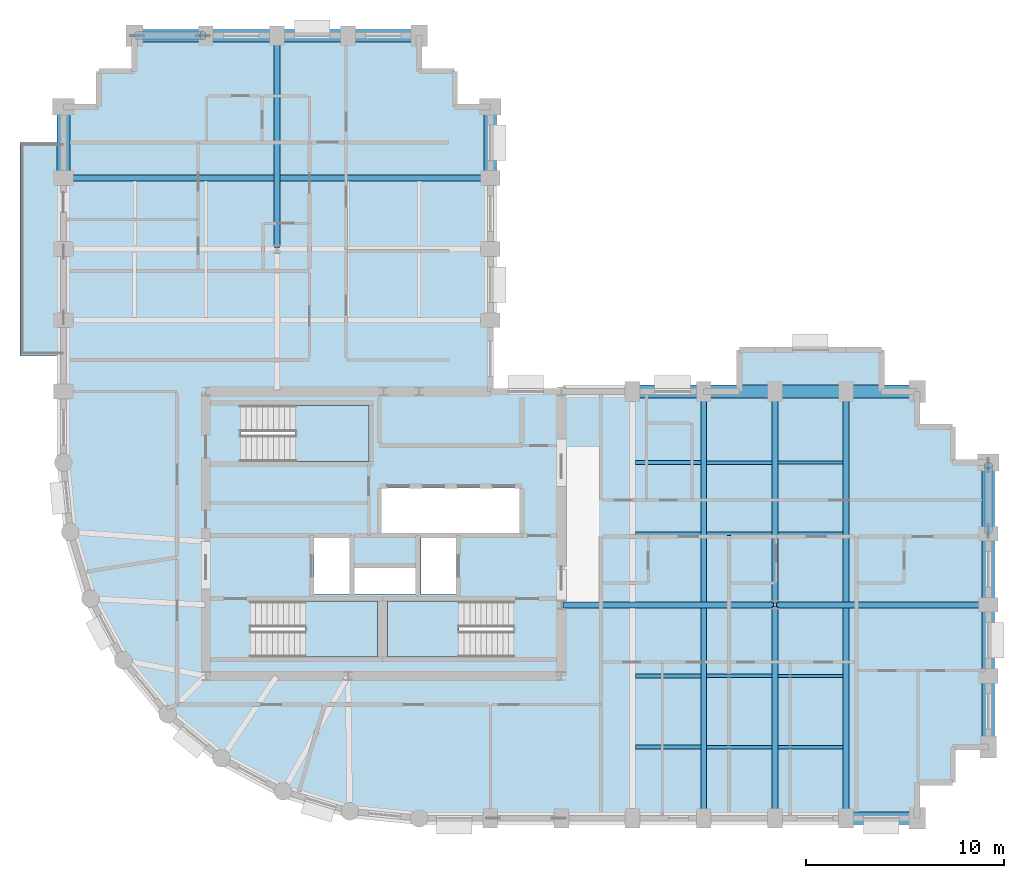
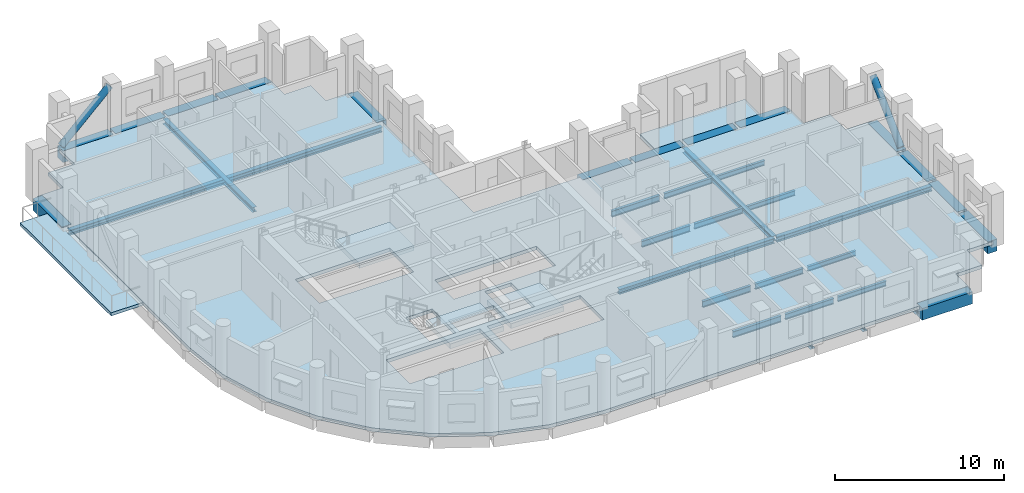
# One storey, part 2 of 10: 35 beams, 5 slabs, 2 members, 3 elements without a shape of their own.
"""IFC4 building model written with IfcOpenShell, lengths in metres."""

import ifcopenshell
import ifcopenshell.guid

model = None  # the IFC model being written
_history = None  # IfcOwnerHistory: only IFC2X3 demands one
_inside = {}  # id of a spatial element -> (the spatial element, [elements in it])
_under = {}  # id of a project, library or spatial element -> (it, [spatial elements below it])
_declared = {}  # id of a project -> (the project, [libraries it declares])
_typed = {}  # id of a type object -> (the type object, [elements of that type])
_made_of = {}  # id of a material, layer set ... -> (it, [elements and type objects made of it])


def new_model(schema):
    """Start an empty IFC model of exactly this schema.

    Asked for "IFC4X3", IfcOpenShell would pick the latest addendum, in which some entities
    have other attributes; the version numbers below select the first issue.
    IFC2X3 requires an IfcOwnerHistory on every rooted entity: one is made here for all.
    """
    global model, _history
    if schema == "IFC4X3":
        model = ifcopenshell.file(schema_version=(4, 3, 0, 0))
    else:
        model = ifcopenshell.file(schema=schema)
    _inside.clear()
    _under.clear()
    _declared.clear()
    _typed.clear()
    _made_of.clear()
    _history = None
    if model.schema == "IFC2X3":
        org = make("IfcOrganization", Name="unknown")
        user = make(
            "IfcPersonAndOrganization",
            ThePerson=make("IfcPerson", FamilyName="unknown"),
            TheOrganization=org,
        )
        app = make(
            "IfcApplication",
            ApplicationDeveloper=org,
            Version="unknown",
            ApplicationFullName="unknown",
            ApplicationIdentifier="unknown",
        )
        _history = make(
            "IfcOwnerHistory",
            OwningUser=user,
            OwningApplication=app,
            ChangeAction="ADDED",
            CreationDate=0,
        )
    return model


def make(cls, **values):
    """One entity of the class cls with the attributes given. An attribute that is None is left unset."""
    return model.create_entity(
        cls, **{name: value for name, value in values.items() if value is not None}
    )


def rooted(cls, **values):
    """An entity with a GlobalId (a new one), such as an element, a storey or a relation."""
    return make(cls, GlobalId=ifcopenshell.guid.new(), OwnerHistory=_history, **values)


def si_unit(unit_type, name, prefix=None):
    """IfcSIUnit, for example si_unit("LENGTHUNIT", "METRE", prefix="MILLI")."""
    return make("IfcSIUnit", UnitType=unit_type, Prefix=prefix, Name=name)


def assignment(units):
    """IfcUnitAssignment: the units of a project."""
    return None if units is None else make("IfcUnitAssignment", Units=units)


def point(xyz):
    """IfcCartesianPoint."""
    return None if xyz is None else make("IfcCartesianPoint", Coordinates=xyz)


def direction(xyz):
    """IfcDirection."""
    return None if xyz is None else make("IfcDirection", DirectionRatios=xyz)


def frame(location, z_axis=None, x_axis=None):
    """IfcAxis2Placement3D, a coordinate frame: its origin and axes. An axis left out is left unset."""
    return make(
        "IfcAxis2Placement3D",
        Location=point(location),
        Axis=direction(z_axis),
        RefDirection=direction(x_axis),
    )


def frame_2d(location, x_axis=None):
    """IfcAxis2Placement2D, a coordinate frame in the plane: its origin and x axis."""
    return make(
        "IfcAxis2Placement2D", Location=point(location), RefDirection=direction(x_axis)
    )


def origin():
    """The frame at (0, 0, 0) with its axes left unset."""
    return frame((0.0, 0.0, 0.0))


def origin_2d():
    """The frame at (0, 0) in the plane with its x axis left unset."""
    return frame_2d((0.0, 0.0))


def place(relative_to, where):
    """IfcLocalPlacement: puts the frame where relative to a parent placement (None: the world)."""
    return make(
        "IfcLocalPlacement", PlacementRelTo=relative_to, RelativePlacement=where
    )


def context(
    kind, dimensions, precision=None, world=None, true_north=None, identifier=None
):
    """IfcGeometricRepresentationContext, for example the 3D "Model" context."""
    return make(
        "IfcGeometricRepresentationContext",
        ContextIdentifier=identifier,
        ContextType=kind,
        CoordinateSpaceDimension=dimensions,
        Precision=precision,
        WorldCoordinateSystem=world,
        TrueNorth=true_north,
    )


def subcontext(parent, identifier, kind, view, scale=None):
    """IfcGeometricRepresentationSubContext, for example "Body" below "Model"."""
    return make(
        "IfcGeometricRepresentationSubContext",
        ContextIdentifier=identifier,
        ContextType=kind,
        ParentContext=parent,
        TargetScale=scale,
        TargetView=view,
    )


def project(units=None, contexts=None):
    """IfcProject with its units and contexts."""
    return rooted(
        "IfcProject",
        Name="project",
        RepresentationContexts=contexts,
        UnitsInContext=assignment(units),
    )


def spatial(cls, under=None, at=None, **own):
    """A site, building, storey or space (cls), placed at a placement, below another one or the project."""
    s = rooted(cls, ObjectPlacement=at, **own)
    if under is not None:
        _under.setdefault(under.id(), (under, []))[1].append(s)
    return s


def polyline(points):
    """IfcPolyline through the points."""
    return make("IfcPolyline", Points=[point(p) for p in points])


def profile(cls, at=None, kind="AREA", **sizes):
    """A parametric profile (cls). Its sizes go by their IFC names, for example OverallWidth=200.0."""
    return make(cls, ProfileType=kind, Position=at, **sizes)


def rectangle(**sizes):
    """IfcRectangleProfileDef."""
    return profile("IfcRectangleProfileDef", **sizes)


def hollow_circle(**sizes):
    """IfcCircleHollowProfileDef."""
    return profile("IfcCircleHollowProfileDef", **sizes)


def i_section(**sizes):
    """IfcIShapeProfileDef."""
    return profile("IfcIShapeProfileDef", **sizes)


def outline(outer, holes=None, kind="AREA"):
    """IfcArbitraryClosedProfileDef: a profile drawn as a closed curve; with holes, ...WithVoids."""
    if holes is None:
        return make("IfcArbitraryClosedProfileDef", ProfileType=kind, OuterCurve=outer)
    return make(
        "IfcArbitraryProfileDefWithVoids",
        ProfileType=kind,
        OuterCurve=outer,
        InnerCurves=holes,
    )


def extrude(swept, where, along, depth):
    """IfcExtrudedAreaSolid: the profile swept, set in the frame where, extruded along a direction by depth."""
    return make(
        "IfcExtrudedAreaSolid",
        SweptArea=swept,
        Position=where,
        ExtrudedDirection=direction(along),
        Depth=depth,
    )


def shape(context_of_items, identifier, shape_type, items):
    """IfcShapeRepresentation: the items that make up one representation, for example the "Body"."""
    return make(
        "IfcShapeRepresentation",
        ContextOfItems=context_of_items,
        RepresentationIdentifier=identifier,
        RepresentationType=shape_type,
        Items=items,
    )


def material(Name=None, Category=None):
    """IfcMaterial."""
    return make("IfcMaterial", Name=Name, Category=Category)


def layer(
    of_material, thickness, ventilated=None, Name=None, Category=None, Priority=None
):
    """IfcMaterialLayer: one layer of a wall or slab, of a material (None: an air gap)."""
    return make(
        "IfcMaterialLayer",
        Material=of_material,
        LayerThickness=thickness,
        IsVentilated=ventilated,
        Name=Name,
        Category=Category,
        Priority=Priority,
    )


def layer_set(layers, Name=None):
    """IfcMaterialLayerSet."""
    return make("IfcMaterialLayerSet", MaterialLayers=layers, LayerSetName=Name)


def material_profile(
    of_material, cross_section, Name=None, Category=None, Priority=None
):
    """IfcMaterialProfile: a cross section and its material."""
    return make(
        "IfcMaterialProfile",
        Name=Name,
        Material=of_material,
        Profile=cross_section,
        Priority=Priority,
        Category=Category,
    )


def profile_set(profiles, Name=None, composite=None):
    """IfcMaterialProfileSet."""
    return make(
        "IfcMaterialProfileSet",
        Name=Name,
        MaterialProfiles=profiles,
        CompositeProfile=composite,
    )


def made_of(thing, what):
    """Note that an element or type object is made of a material, layer set ...; save() writes the relation."""
    if what is not None:
        _made_of.setdefault(what.id(), (what, []))[1].append(thing)
    return thing


def type_object(cls, material=None, **own):
    """A type object (cls), such as IfcWallType, which elements share."""
    return made_of(rooted(cls, **own), material)


def element(
    cls,
    number,
    at=None,
    inside=None,
    cuts=None,
    type_object=None,
    material=None,
    context=None,
    identifier="Body",
    shape_type=None,
    held_by="IfcProductDefinitionShape",
    body=None,
    shapes=None,
    **own,
):
    """One element of the class cls, such as IfcWall. Its Tag is "e" and its number.

    at: its placement. inside: the storey or other place that contains it. cuts: it is an
    opening in that element (IfcRelVoidsElement). A single representation is given by context,
    identifier, shape_type and body (its items); several are given by shapes. held_by: the class
    of the entity that holds the representations. save() writes the other relations.
    """
    e = rooted(cls, Tag="e%d" % number, ObjectPlacement=at, **own)
    if body is not None:
        shapes = [shape(context, identifier, shape_type, body)]
    if shapes is not None:
        e.Representation = make(held_by, Representations=shapes)
    if inside is not None:
        _inside.setdefault(inside.id(), (inside, []))[1].append(e)
    if cuts is not None:
        rooted(
            "IfcRelVoidsElement", RelatingBuildingElement=cuts, RelatedOpeningElement=e
        )
    if type_object is not None:
        _typed.setdefault(type_object.id(), (type_object, []))[1].append(e)
    return made_of(e, material)


def aggregate(whole, parts):
    """IfcRelAggregates: a whole, such as a stair, and the parts it consists of."""
    return rooted("IfcRelAggregates", RelatingObject=whole, RelatedObjects=parts)


def save(model, path):
    """Write the relations noted so far, then the file.

    IfcRelAggregates (storeys below a building ...), IfcRelContainedInSpatialStructure (elements
    in a storey), IfcRelDefinesByType, IfcRelAssociatesMaterial and IfcRelDeclares: one each for
    every whole, place, type object, material and project.
    """
    for whole, parts in _under.values():
        aggregate(whole, parts)
    for where, things in _inside.values():
        rooted(
            "IfcRelContainedInSpatialStructure",
            RelatedElements=things,
            RelatingStructure=where,
        )
    for kind, things in _typed.values():
        rooted("IfcRelDefinesByType", RelatedObjects=things, RelatingType=kind)
    for what, things in _made_of.values():
        rooted("IfcRelAssociatesMaterial", RelatedObjects=things, RelatingMaterial=what)
    for by, libraries in _declared.values():
        rooted("IfcRelDeclares", RelatingContext=by, RelatedDefinitions=libraries)
    model.write(path)


model = new_model("IFC4")

# Units and contexts
model_context = context("Model", 3, precision=1e-05, world=origin(), true_north=direction((0.0, 1.0)))
body_context = subcontext(model_context, "Body", "Model", "MODEL_VIEW")
ifc_project = project(units=[si_unit("LENGTHUNIT", "METRE"), si_unit("AREAUNIT", "SQUARE_METRE"), si_unit("VOLUMEUNIT", "CUBIC_METRE"), si_unit("PLANEANGLEUNIT", "RADIAN"), si_unit("MASSUNIT", "GRAM", prefix="KILO")], contexts=[model_context])

# Site, building, storey
site_placement = place(None, origin())
site = spatial("IfcSite", under=ifc_project, at=site_placement, CompositionType="ELEMENT")
building_placement = place(site_placement, origin())
building = spatial("IfcBuilding", under=site, at=building_placement, Name="Solnavia Interchange Tower", CompositionType="ELEMENT")
storey_placement = place(building_placement, frame((0.0, 0.0, 150.39990234375)))
storey = spatial("IfcBuildingStorey", under=building, at=storey_placement, Name="L37", CompositionType="ELEMENT", Elevation=150.39990234375)

# Beams
ifc_material_1 = material(Name="Steel S460", Category="steel")
ifc_material_profile_1 = material_profile(ifc_material_1, i_section(OverallWidth=0.300048828125, OverallDepth=0.360107421875, WebThickness=0.012451171875, FlangeThickness=0.0224609375, FilletRadius=0.027099609375, at=origin_2d()), Name="HEB 360")
ifc_profile_set_1 = profile_set([ifc_material_profile_1], Name="Steel S460")
beam_type_1 = type_object("IfcBeamType", Name="Beam-Girder-HEB360", PredefinedType="BEAM", material=ifc_profile_set_1)
beam_1_placement = place(storey_placement, frame((32.47998046875, 14.39990234375, -0.429931640625), z_axis=(1.0, 0.0, 0.0), x_axis=(0.0, 1.0, 0.0)))
element("IfcBeam", 1, at=beam_1_placement, inside=storey, type_object=beam_type_1, Name="GRD-L37-ES01 East wing spine girder", PredefinedType="BEAM", context=body_context, shape_type="SweptSolid", body=[
    extrude(i_section(OverallWidth=0.300048828125, OverallDepth=0.360107421875, WebThickness=0.012451171875, FlangeThickness=0.0224609375, FilletRadius=0.027099609375, at=origin_2d()), origin(), (0.0, 0.0, 1.0), 10.64013671875),
])
beam_2_placement = place(storey_placement, frame((43.280029296875, 14.39990234375, -0.429931640625), z_axis=(1.0, 0.0, 0.0), x_axis=(0.0, 1.0, 0.0)))
element("IfcBeam", 2, at=beam_2_placement, inside=storey, type_object=beam_type_1, Name="GRD-L37-ES02 East wing spine girder", PredefinedType="BEAM", context=body_context, shape_type="SweptSolid", body=[
    extrude(i_section(OverallWidth=0.300048828125, OverallDepth=0.360107421875, WebThickness=0.012451171875, FlangeThickness=0.0224609375, FilletRadius=0.027099609375, at=origin_2d()), origin(), (0.0, 0.0, 1.0), 10.639892578125),
])
for number, where, z_axis, x_axis, name in (
    (3, (39.60009765625, 3.679931640625, -0.429931640625), (0.0, 1.0, 0.0), (-1.0, 0.0, 0.0), "GRD-L37-EW04 East wing primary floor girder"),
    (4, (46.800048828125, 3.679931640625, -0.429931640625), (0.0, 1.0, 0.0), (-1.0, 0.0, 0.0), "GRD-L37-EW07 East wing primary floor girder"),
):
    element("IfcBeam", number, at=place(storey_placement, frame(where, z_axis=z_axis, x_axis=x_axis)), inside=storey, type_object=beam_type_1, Name=name, PredefinedType="BEAM", context=body_context, shape_type="SweptSolid", body=[
        extrude(i_section(OverallWidth=0.300048828125, OverallDepth=0.360107421875, WebThickness=0.012451171875, FlangeThickness=0.0224609375, FilletRadius=0.027099609375, at=origin_2d()), origin(), (0.0, 0.0, 1.0), 21.440185546875),
    ])
beam_3_placement = place(storey_placement, frame((18.0, 32.47998046875, -0.429931640625), z_axis=(0.0, 1.0, 0.0), x_axis=(-1.0, 0.0, 0.0)))
element("IfcBeam", 5, at=beam_3_placement, inside=storey, type_object=beam_type_1, Name="GRD-L37-NS09 North wing spine girder", PredefinedType="BEAM", context=body_context, shape_type="SweptSolid", body=[
    extrude(i_section(OverallWidth=0.300048828125, OverallDepth=0.360107421875, WebThickness=0.012451171875, FlangeThickness=0.0224609375, FilletRadius=0.027099609375, at=origin_2d()), origin(), (0.0, 0.0, 1.0), 10.64013671875),
])
beam_4_placement = place(storey_placement, frame((7.280029296875, 36.0, -0.429931640625), z_axis=(1.0, 0.0, 0.0), x_axis=(0.0, 1.0, 0.0)))
element("IfcBeam", 6, at=beam_4_placement, inside=storey, type_object=beam_type_1, Name="GRD-L37-NW13 North wing primary floor girder", PredefinedType="BEAM", context=body_context, shape_type="SweptSolid", body=[
    extrude(i_section(OverallWidth=0.300048828125, OverallDepth=0.360107421875, WebThickness=0.012451171875, FlangeThickness=0.0224609375, FilletRadius=0.027099609375, at=origin_2d()), origin(), (0.0, 0.0, 1.0), 21.43994140625),
])
ifc_material_2 = material(Name="Steel S355", Category="steel")
ifc_material_profile_2 = material_profile(ifc_material_2, i_section(OverallWidth=0.169921875, OverallDepth=0.360107421875, WebThickness=0.008056640625, FlangeThickness=0.0126953125, FilletRadius=0.01806640625, at=origin_2d()), Name="IPE 360")
ifc_profile_set_2 = profile_set([ifc_material_profile_2], Name="Steel S355")
beam_type_2 = type_object("IfcBeamType", Name="Beam-Joist-IPE360", PredefinedType="JOIST", material=ifc_profile_set_2)
for number, where, z_axis, x_axis, name in (
    (7, (43.35009765625, 7.199951171875, -0.429931640625), (1.0, 0.0, 0.0), (0.0, 1.0, 0.0), "JST-L37-E03 East wing secondary joist"),
    (8, (43.35009765625, 10.800048828125, -0.429931640625), (1.0, 0.0, 0.0), (0.0, 1.0, 0.0), "JST-L37-E06 East wing secondary joist"),
    (9, (43.35009765625, 18.0, -0.429931640625), (1.0, 0.0, 0.0), (0.0, 1.0, 0.0), "JST-L37-E09 East wing secondary joist"),
    (10, (43.35009765625, 21.60009765625, -0.429931640625), (1.0, 0.0, 0.0), (0.0, 1.0, 0.0), "JST-L37-E12 East wing secondary joist"),
):
    element("IfcBeam", number, at=place(storey_placement, frame(where, z_axis=z_axis, x_axis=x_axis)), inside=storey, type_object=beam_type_2, Name=name, PredefinedType="JOIST", context=body_context, shape_type="SweptSolid", body=[
        extrude(i_section(OverallWidth=0.169921875, OverallDepth=0.360107421875, WebThickness=0.008056640625, FlangeThickness=0.0126953125, FilletRadius=0.01806640625, at=origin_2d()), origin(), (0.0, 0.0, 1.0), 3.2998046875),
    ])
ifc_material_profile_3 = material_profile(ifc_material_2, i_section(OverallWidth=0.179931640625, OverallDepth=0.39990234375, WebThickness=0.008544921875, FlangeThickness=0.013427734375, FilletRadius=0.02099609375, at=origin_2d()), Name="IPE 400")
ifc_profile_set_3 = profile_set([ifc_material_profile_3], Name="Steel S355")
beam_type_3 = type_object("IfcBeamType", Name="Beam-Joist-IPE400", PredefinedType="JOIST", material=ifc_profile_set_3)
for number, where, z_axis, x_axis, name in (
    (11, (39.75, 7.199951171875, -0.449951171875), (1.0, 0.0, 0.0), (0.0, 1.0, 0.0), "JST-L37-E02 East wing secondary joist"),
    (12, (39.75, 10.800048828125, -0.449951171875), (1.0, 0.0, 0.0), (0.0, 1.0, 0.0), "JST-L37-E05 East wing secondary joist"),
    (13, (39.75, 18.0, -0.449951171875), (1.0, 0.0, 0.0), (0.0, 1.0, 0.0), "JST-L37-E08 East wing secondary joist"),
    (14, (39.75, 21.60009765625, -0.449951171875), (1.0, 0.0, 0.0), (0.0, 1.0, 0.0), "JST-L37-E11 East wing secondary joist"),
):
    element("IfcBeam", number, at=place(storey_placement, frame(where, z_axis=z_axis, x_axis=x_axis)), inside=storey, type_object=beam_type_3, Name=name, PredefinedType="JOIST", context=body_context, shape_type="SweptSolid", body=[
        extrude(i_section(OverallWidth=0.179931640625, OverallDepth=0.39990234375, WebThickness=0.008544921875, FlangeThickness=0.013427734375, FilletRadius=0.02099609375, at=origin_2d()), origin(), (0.0, 0.0, 1.0), 3.300048828125),
    ])
ifc_material_profile_4 = material_profile(ifc_material_2, i_section(OverallWidth=0.18994140625, OverallDepth=0.449951171875, WebThickness=0.009521484375, FlangeThickness=0.0146484375, FilletRadius=0.02099609375, at=origin_2d()), Name="IPE 450")
ifc_profile_set_4 = profile_set([ifc_material_profile_4], Name="Steel S355")
beam_type_4 = type_object("IfcBeamType", Name="Beam-Joist-IPE450", PredefinedType="JOIST", material=ifc_profile_set_4)
for number, where, z_axis, x_axis, name in (
    (15, (36.14990234375, 7.199951171875, -0.474853515625), (1.0, 0.0, 0.0), (0.0, 1.0, 0.0), "JST-L37-E01 East wing secondary joist"),
    (16, (36.14990234375, 10.800048828125, -0.474853515625), (1.0, 0.0, 0.0), (0.0, 1.0, 0.0), "JST-L37-E04 East wing secondary joist"),
    (17, (36.14990234375, 18.0, -0.474853515625), (1.0, 0.0, 0.0), (0.0, 1.0, 0.0), "JST-L37-E07 East wing secondary joist"),
    (18, (36.14990234375, 21.60009765625, -0.474853515625), (1.0, 0.0, 0.0), (0.0, 1.0, 0.0), "JST-L37-E10 East wing secondary joist"),
):
    element("IfcBeam", number, at=place(storey_placement, frame(where, z_axis=z_axis, x_axis=x_axis)), inside=storey, type_object=beam_type_4, Name=name, PredefinedType="JOIST", context=body_context, shape_type="SweptSolid", body=[
        extrude(i_section(OverallWidth=0.18994140625, OverallDepth=0.449951171875, WebThickness=0.009521484375, FlangeThickness=0.0146484375, FilletRadius=0.02099609375, at=origin_2d()), origin(), (0.0, 0.0, 1.0), 3.300048828125),
    ])
ifc_material_profile_5 = material_profile(ifc_material_2, i_section(OverallWidth=0.300048828125, OverallDepth=0.35009765625, WebThickness=0.010009765625, FlangeThickness=0.017578125, FilletRadius=0.027099609375, at=origin_2d()), Name="HEA 360")
ifc_profile_set_5 = profile_set([ifc_material_profile_5], Name="Steel S355")
beam_type_5 = type_object("IfcBeamType", Name="Beam-Primary-HEA360", PredefinedType="BEAM", material=ifc_profile_set_5)
for number, where, z_axis, x_axis, name in (
    (19, (43.199951171875, 3.679931640625, -0.4248046875), (0.0, 1.0, 0.0), (-1.0, 0.0, 0.0), "GRD-L37-EW05 East wing primary floor girder"),
    (20, (43.199951171875, 14.47998046875, -0.4248046875), (0.0, 1.0, 0.0), (-1.0, 0.0, 0.0), "GRD-L37-EW06 East wing primary floor girder"),
):
    element("IfcBeam", number, at=place(storey_placement, frame(where, z_axis=z_axis, x_axis=x_axis)), inside=storey, type_object=beam_type_5, Name=name, PredefinedType="BEAM", context=body_context, shape_type="SweptSolid", body=[
        extrude(i_section(OverallWidth=0.300048828125, OverallDepth=0.35009765625, WebThickness=0.010009765625, FlangeThickness=0.017578125, FilletRadius=0.027099609375, at=origin_2d()), origin(), (0.0, 0.0, 1.0), 10.64013671875),
    ])
ifc_material_3 = material(Name="Concrete C50/60", Category="concrete")
ifc_material_profile_6 = material_profile(ifc_material_3, rectangle(XDim=0.64990234375, YDim=0.85009765625, at=origin_2d()), Name="RC 650x850")
ifc_profile_set_6 = profile_set([ifc_material_profile_6], Name="Concrete C50/60")
beam_type_6 = type_object("IfcBeamType", Name="Beam-Spandrel-RC650x850", PredefinedType="SPANDREL", material=ifc_profile_set_6)
beam_5_placement = place(storey_placement, frame((46.8798828125, 3.60009765625, -0.4248046875), z_axis=(1.0, 0.0, 0.0), x_axis=(0.0, 1.0, 0.0)))
element("IfcBeam", 21, at=beam_5_placement, inside=storey, type_object=beam_type_6, Name="SPB-L37-15 Framed-tube perimeter spandrel beam", PredefinedType="SPANDREL", context=body_context, shape_type="SweptSolid", body=[
    extrude(rectangle(XDim=0.64990234375, YDim=0.85009765625, at=origin_2d()), origin(), (0.0, 0.0, 1.0), 3.440185546875),
])
beam_6_placement = place(storey_placement, frame((54.0, 7.280029296875, -0.4248046875), z_axis=(0.0, 1.0, 0.0), x_axis=(-1.0, 0.0, 0.0)))
element("IfcBeam", 22, at=beam_6_placement, inside=storey, type_object=beam_type_6, Name="SPB-L37-16 Framed-tube perimeter spandrel beam", PredefinedType="SPANDREL", context=body_context, shape_type="SweptSolid", body=[
    extrude(rectangle(XDim=0.64990234375, YDim=0.85009765625, at=origin_2d()), origin(), (0.0, 0.0, 1.0), 3.43994140625),
])
beam_7_placement = place(storey_placement, frame((54.0, 10.8798828125, -0.4248046875), z_axis=(0.0, 1.0, 0.0), x_axis=(-1.0, 0.0, 0.0)))
element("IfcBeam", 23, at=beam_7_placement, inside=storey, type_object=beam_type_6, Name="SPB-L37-17 Framed-tube perimeter spandrel beam", PredefinedType="SPANDREL", context=body_context, shape_type="SweptSolid", body=[
    extrude(rectangle(XDim=0.64990234375, YDim=0.85009765625, at=origin_2d()), origin(), (0.0, 0.0, 1.0), 3.440185546875),
])
for number, where, z_axis, x_axis, name in (
    (24, (54.0, 14.47998046875, -0.4248046875), (0.0, 1.0, 0.0), (-1.0, 0.0, 0.0), "SPB-L37-18 Framed-tube perimeter spandrel beam"),
    (25, (54.0, 18.080078125, -0.4248046875), (0.0, 1.0, 0.0), (-1.0, 0.0, 0.0), "SPB-L37-19 Framed-tube perimeter spandrel beam"),
):
    element("IfcBeam", number, at=place(storey_placement, frame(where, z_axis=z_axis, x_axis=x_axis)), inside=storey, type_object=beam_type_6, Name=name, PredefinedType="SPANDREL", context=body_context, shape_type="SweptSolid", body=[
        extrude(rectangle(XDim=0.64990234375, YDim=0.85009765625, at=origin_2d()), origin(), (0.0, 0.0, 1.0), 3.43994140625),
    ])
beam_8_placement = place(storey_placement, frame((50.320068359375, 25.199951171875, -0.4248046875), z_axis=(-1.0, 0.0, 0.0), x_axis=(0.0, -1.0, 0.0)))
element("IfcBeam", 26, at=beam_8_placement, inside=storey, type_object=beam_type_6, Name="SPB-L37-20 Framed-tube perimeter spandrel beam", PredefinedType="SPANDREL", context=body_context, shape_type="SweptSolid", body=[
    extrude(rectangle(XDim=0.64990234375, YDim=0.85009765625, at=origin_2d()), origin(), (0.0, 0.0, 1.0), 3.440185546875),
])
beam_9_placement = place(storey_placement, frame((46.719970703125, 25.199951171875, -0.4248046875), z_axis=(-1.0, 0.0, 0.0), x_axis=(0.0, -1.0, 0.0)))
element("IfcBeam", 27, at=beam_9_placement, inside=storey, type_object=beam_type_6, Name="SPB-L37-21 Framed-tube perimeter spandrel beam", PredefinedType="SPANDREL", context=body_context, shape_type="SweptSolid", body=[
    extrude(rectangle(XDim=0.64990234375, YDim=0.85009765625, at=origin_2d()), origin(), (0.0, 0.0, 1.0), 3.43994140625),
])
beam_10_placement = place(storey_placement, frame((43.1201171875, 25.199951171875, -0.4248046875), z_axis=(-1.0, 0.0, 0.0), x_axis=(0.0, -1.0, 0.0)))
element("IfcBeam", 28, at=beam_10_placement, inside=storey, type_object=beam_type_6, Name="SPB-L37-22 Framed-tube perimeter spandrel beam", PredefinedType="SPANDREL", context=body_context, shape_type="SweptSolid", body=[
    extrude(rectangle(XDim=0.64990234375, YDim=0.85009765625, at=origin_2d()), origin(), (0.0, 0.0, 1.0), 3.440185546875),
])
for number, where, z_axis, x_axis, name in (
    (29, (39.52001953125, 25.199951171875, -0.4248046875), (-1.0, 0.0, 0.0), (0.0, -1.0, 0.0), "SPB-L37-23 Framed-tube perimeter spandrel beam"),
    (30, (28.800048828125, 36.080078125, -0.4248046875), (0.0, 1.0, 0.0), (-1.0, 0.0, 0.0), "SPB-L37-27 Framed-tube perimeter spandrel beam"),
):
    element("IfcBeam", number, at=place(storey_placement, frame(where, z_axis=z_axis, x_axis=x_axis)), inside=storey, type_object=beam_type_6, Name=name, PredefinedType="SPANDREL", context=body_context, shape_type="SweptSolid", body=[
        extrude(rectangle(XDim=0.64990234375, YDim=0.85009765625, at=origin_2d()), origin(), (0.0, 0.0, 1.0), 3.43994140625),
    ])
beam_11_placement = place(storey_placement, frame((25.1201171875, 43.199951171875, -0.4248046875), z_axis=(-1.0, 0.0, 0.0), x_axis=(0.0, -1.0, 0.0)))
element("IfcBeam", 31, at=beam_11_placement, inside=storey, type_object=beam_type_6, Name="SPB-L37-28 Framed-tube perimeter spandrel beam", PredefinedType="SPANDREL", context=body_context, shape_type="SweptSolid", body=[
    extrude(rectangle(XDim=0.64990234375, YDim=0.85009765625, at=origin_2d()), origin(), (0.0, 0.0, 1.0), 3.440185546875),
])
for number, where, z_axis, x_axis, name in (
    (32, (21.52001953125, 43.199951171875, -0.4248046875), (-1.0, 0.0, 0.0), (0.0, -1.0, 0.0), "SPB-L37-29 Framed-tube perimeter spandrel beam"),
    (33, (17.919921875, 43.199951171875, -0.4248046875), (-1.0, 0.0, 0.0), (0.0, -1.0, 0.0), "SPB-L37-30 Framed-tube perimeter spandrel beam"),
):
    element("IfcBeam", number, at=place(storey_placement, frame(where, z_axis=z_axis, x_axis=x_axis)), inside=storey, type_object=beam_type_6, Name=name, PredefinedType="SPANDREL", context=body_context, shape_type="SweptSolid", body=[
        extrude(rectangle(XDim=0.64990234375, YDim=0.85009765625, at=origin_2d()), origin(), (0.0, 0.0, 1.0), 3.43994140625),
    ])
beam_12_placement = place(storey_placement, frame((14.320068359375, 43.199951171875, -0.4248046875), z_axis=(-1.0, 0.0, 0.0), x_axis=(0.0, -1.0, 0.0)))
element("IfcBeam", 34, at=beam_12_placement, inside=storey, type_object=beam_type_6, Name="SPB-L37-31 Framed-tube perimeter spandrel beam", PredefinedType="SPANDREL", context=body_context, shape_type="SweptSolid", body=[
    extrude(rectangle(XDim=0.64990234375, YDim=0.85009765625, at=origin_2d()), origin(), (0.0, 0.0, 1.0), 3.440185546875),
])
beam_13_placement = place(storey_placement, frame((7.199951171875, 39.52001953125, -0.4248046875), z_axis=(0.0, -1.0, 0.0), x_axis=(1.0, 0.0, 0.0)))
element("IfcBeam", 35, at=beam_13_placement, inside=storey, type_object=beam_type_6, Name="SPB-L37-32 Framed-tube perimeter spandrel beam", PredefinedType="SPANDREL", context=body_context, shape_type="SweptSolid", body=[
    extrude(rectangle(XDim=0.64990234375, YDim=0.85009765625, at=origin_2d()), origin(), (0.0, 0.0, 1.0), 3.43994140625),
])

# Members
ifc_material_profile_7 = material_profile(ifc_material_1, hollow_circle(Radius=0.228515625, WallThickness=0.02001953125, at=origin_2d()), Name="CHS 457x20")
ifc_profile_set_7 = profile_set([ifc_material_profile_7], Name="Steel S460")
member_type = type_object("IfcMemberType", Name="Brace-Perim-CHS457", PredefinedType="BRACE", material=ifc_profile_set_7)
for number, where, z_axis, x_axis, name in (
    (36, (54.0, 18.139892578125, 0.18017578125), (0.0, 0.721096918576, 0.692834203847), (-1.0, 0.0, 0.0), "BRC-L37-03 Perimeter tube diagonal brace"),
    (37, (10.93994140625, 43.199951171875, 0.18017578125), (0.721096918576, 0.0, 0.692834203847), (0.0, 1.0, 0.0), "BRC-L37-04 Perimeter tube diagonal brace"),
):
    element("IfcMember", number, at=place(storey_placement, frame(where, z_axis=z_axis, x_axis=x_axis)), inside=storey, type_object=member_type, Name=name, PredefinedType="BRACE", context=body_context, shape_type="SweptSolid", body=[
        extrude(hollow_circle(Radius=0.228515625, WallThickness=0.02001953125, at=origin_2d()), origin(), (0.0, 0.0, 1.0), 4.604248046875),
    ])

# Stair, slab
ifc_material_4 = material(Name="Concrete C40/50", Category="concrete")
stair_type = type_object("IfcStairType", Name="Stair-Dogleg-RC", PredefinedType="HALF_TURN_STAIR", material=ifc_material_4)
stair_1_placement = place(storey_placement, origin())
stair_1 = element("IfcStair", 38, at=stair_1_placement, inside=storey, type_object=stair_type, Name="L37 Core exit stair 1", PredefinedType="HALF_TURN_STAIR")
ifc_layer_1 = layer(ifc_material_4, 0.35009765625)
ifc_layer_set_1 = layer_set([ifc_layer_1], Name="Concrete C40/50")
slab_type_1 = type_object("IfcSlabType", Name="Slab-StairLanding-350", PredefinedType="LANDING", material=ifc_layer_set_1)
slab_1_placement = place(storey_placement, frame((0.0, 0.0, 1.550048828125)))
slab_1 = element("IfcSlab", 39, at=slab_1_placement, type_object=slab_type_1, Name="ST-1 landing 1", PredefinedType="LANDING", context=body_context, shape_type="SweptSolid", body=[
    extrude(outline(polyline([(19.427978515625, 11.75), (23.10009765625, 11.75), (23.10009765625, 14.590087890625), (19.427978515625, 14.590087890625), (19.427978515625, 11.75)])), origin(), (0.0, 0.0, 1.0), 0.35009765625),
])
aggregate(stair_1, [slab_1])

stair_2_placement = place(storey_placement, origin())
stair_2 = element("IfcStair", 40, at=stair_2_placement, inside=storey, type_object=stair_type, Name="L37 Core exit stair 2", PredefinedType="HALF_TURN_STAIR")
slab_2_placement = place(storey_placement, frame((0.0, 0.0, 1.550048828125)))
slab_2 = element("IfcSlab", 41, at=slab_2_placement, type_object=slab_type_1, Name="ST-2 landing 1", PredefinedType="LANDING", context=body_context, shape_type="SweptSolid", body=[
    extrude(outline(polyline([(23.60009765625, 11.75), (27.221923828125, 11.75), (27.221923828125, 14.590087890625), (23.60009765625, 14.590087890625), (23.60009765625, 11.75)])), origin(), (0.0, 0.0, 1.0), 0.35009765625),
])
aggregate(stair_2, [slab_2])

stair_3_placement = place(storey_placement, origin())
stair_3 = element("IfcStair", 42, at=stair_3_placement, inside=storey, type_object=stair_type, Name="L37 Core exit stair 3", PredefinedType="HALF_TURN_STAIR")
slab_3_placement = place(storey_placement, frame((0.0, 0.0, 1.550048828125)))
slab_3 = element("IfcSlab", 43, at=slab_3_placement, type_object=slab_type_1, Name="ST-3 landing 1", PredefinedType="LANDING", context=body_context, shape_type="SweptSolid", body=[
    extrude(outline(polyline([(18.927978515625, 21.64990234375), (22.64990234375, 21.64990234375), (22.64990234375, 24.489990234375), (18.927978515625, 24.489990234375), (18.927978515625, 21.64990234375)])), origin(), (0.0, 0.0, 1.0), 0.35009765625),
])
aggregate(stair_3, [slab_3])

# Slabs
ifc_layer_2 = layer(ifc_material_4, 0.219970703125)
ifc_layer_set_2 = layer_set([ifc_layer_2], Name="Concrete C40/50")
slab_type_2 = type_object("IfcSlabType", Name="Slab-Terrace-220", PredefinedType="FLOOR", material=ifc_layer_set_2)
slab_4_placement = place(storey_placement, frame((0.0, 0.0, -0.260009765625)))
element("IfcSlab", 44, at=slab_4_placement, inside=storey, type_object=slab_type_2, Name="TER-L37-01 Outdoor spiral terrace slab", PredefinedType="FLOOR", context=body_context, shape_type="SweptSolid", body=[
    extrude(outline(polyline([(5.0, 27.0), (7.199951171875, 27.0), (7.199951171875, 37.800048828125), (5.0, 37.800048828125), (5.0, 27.0)])), origin(), (0.0, 0.0, 1.0), 0.22021484375),
])
ifc_layer_3 = layer(ifc_material_4, 0.25)
ifc_layer_set_3 = layer_set([ifc_layer_3], Name="Concrete C40/50")
slab_type_3 = type_object("IfcSlabType", Name="Slab-Tower-250", PredefinedType="FLOOR", material=ifc_layer_set_3)
slab_5_placement = place(storey_placement, frame((0.0, 0.0, -0.25)))
element("IfcSlab", 45, at=slab_5_placement, inside=storey, type_object=slab_type_3, Name="SLB-L37-01 Structural floor slab", PredefinedType="FLOOR", context=body_context, shape_type="SweptSolid", body=[
    extrude(outline(polyline([(25.199951171875, 3.60009765625), (50.39990234375, 3.60009765625), (50.39990234375, 5.39990234375), (52.199951171875, 5.39990234375), (52.199951171875, 7.199951171875), (54.0, 7.199951171875), (54.0, 21.60009765625), (52.199951171875, 21.60009765625), (52.199951171875, 23.39990234375), (50.39990234375, 23.39990234375), (50.39990234375, 25.199951171875), (48.60009765625, 25.199951171875), (48.60009765625, 27.300048828125), (41.39990234375, 27.300048828125), (41.39990234375, 25.199951171875), (28.800048828125, 25.199951171875), (28.800048828125, 39.60009765625), (27.0, 39.60009765625), (27.0, 41.39990234375), (25.199951171875, 41.39990234375), (25.199951171875, 43.199951171875), (10.800048828125, 43.199951171875), (10.800048828125, 41.39990234375), (9.0, 41.39990234375), (9.0, 39.60009765625), (7.199951171875, 39.60009765625), (7.199951171875, 21.60009765625), (7.5458984375, 18.087890625), (8.570068359375, 14.7119140625), (10.23388671875, 11.60009765625), (12.471923828125, 8.8720703125), (15.199951171875, 6.634033203125), (18.31201171875, 4.969970703125), (21.68798828125, 3.946044921875), (25.199951171875, 3.60009765625)]), holes=[polyline([(16.675048828125, 11.75), (23.10009765625, 11.75), (23.10009765625, 14.590087890625), (16.675048828125, 14.590087890625), (16.675048828125, 11.75)]), polyline([(23.60009765625, 11.75), (29.97509765625, 11.75), (29.97509765625, 14.590087890625), (23.60009765625, 14.590087890625), (23.60009765625, 11.75)]), polyline([(16.175048828125, 21.64990234375), (22.64990234375, 21.64990234375), (22.64990234375, 24.489990234375), (16.175048828125, 24.489990234375), (16.175048828125, 21.64990234375)]), polyline([(19.8798828125, 14.9599609375), (21.679931640625, 14.9599609375), (21.679931640625, 17.780029296875), (19.8798828125, 17.780029296875), (19.8798828125, 14.9599609375)]), polyline([(25.280029296875, 14.9599609375), (27.080078125, 14.9599609375), (27.080078125, 17.780029296875), (25.280029296875, 17.780029296875), (25.280029296875, 14.9599609375)]), polyline([(21.919921875, 14.9599609375), (25.02001953125, 14.9599609375), (25.02001953125, 16.280029296875), (21.919921875, 16.280029296875), (21.919921875, 14.9599609375)]), polyline([(23.300048828125, 18.02001953125), (30.280029296875, 18.02001953125), (30.280029296875, 20.300048828125), (23.300048828125, 20.300048828125), (23.300048828125, 18.02001953125)])]), origin(), (0.0, 0.0, 1.0), 0.25),
])

save(model, "model.ifc")
